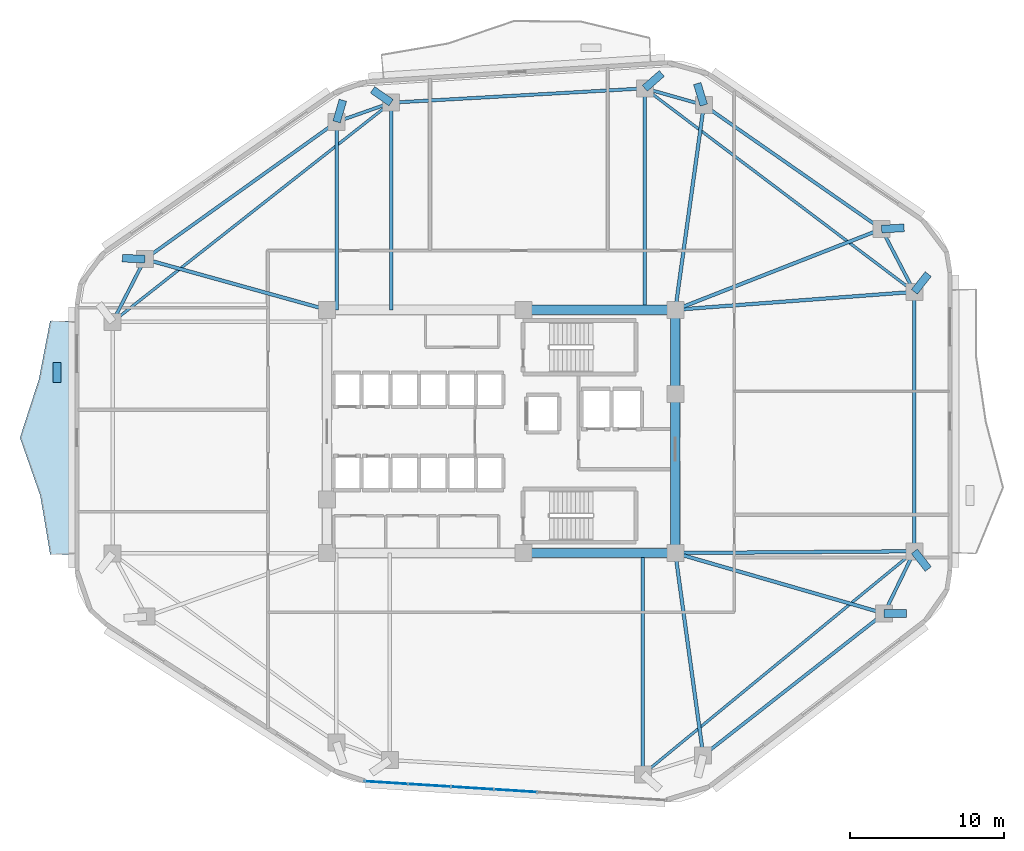
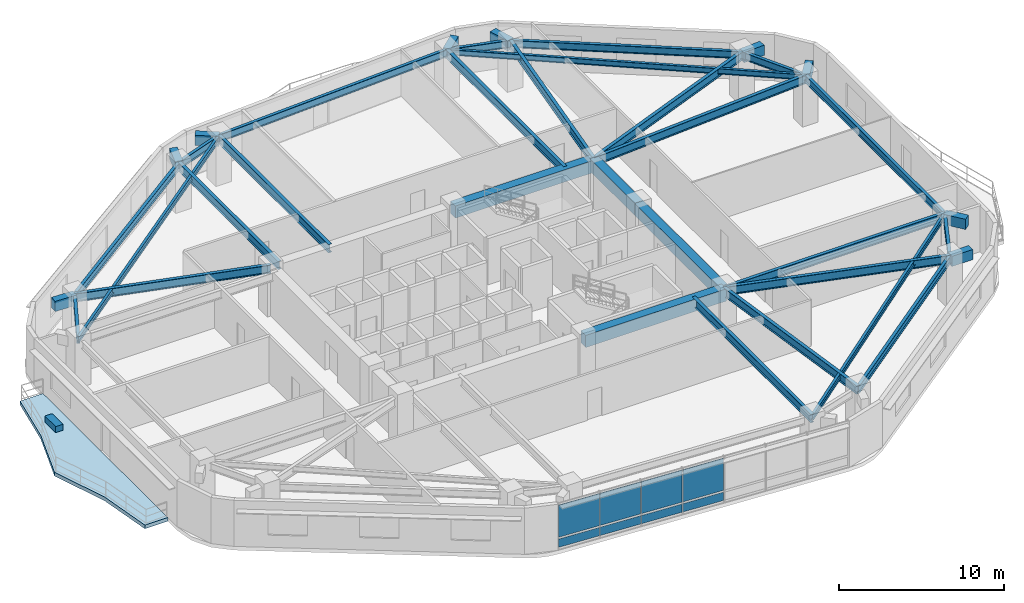
# One storey, part 5 of 12: 37 beams, 9 plates, 1 slab, 1 element without a shape of its own.
"""IFC4 building model written with IfcOpenShell, lengths in metres."""

from ifc_helpers import new_model, si_unit, direction, frame, origin, origin_2d, place, context, subcontext, project, spatial, polyline, rectangle, i_section, outline, extrude, material, layer, layer_set, material_profile, profile_set, type_object, element, aggregate, save


model = new_model("IFC4")

# Units and contexts
model_context = context("Model", 3, precision=1e-05, world=origin(), true_north=direction((0.0, 1.0)))
body_context = subcontext(model_context, "Body", "Model", "MODEL_VIEW")
ifc_project = project(units=[si_unit("LENGTHUNIT", "METRE"), si_unit("AREAUNIT", "SQUARE_METRE"), si_unit("VOLUMEUNIT", "CUBIC_METRE"), si_unit("PLANEANGLEUNIT", "RADIAN"), si_unit("MASSUNIT", "GRAM", prefix="KILO")], contexts=[model_context])

# Site, building, storey
site_placement = place(None, origin())
site = spatial("IfcSite", under=ifc_project, at=site_placement, CompositionType="ELEMENT")
building_placement = place(site_placement, origin())
building = spatial("IfcBuilding", under=site, at=building_placement, Name="Zulverin Broadcast Headquarters", CompositionType="ELEMENT")
storey_placement = place(building_placement, frame((0.0, 0.0, 116.199951171875)))
storey = spatial("IfcBuildingStorey", under=building, at=storey_placement, Name="L29", CompositionType="ELEMENT", Elevation=116.199951171875)

# Beams
ifc_material_1 = material(Name="Concrete C60/75", Category="concrete")
ifc_material_profile_1 = material_profile(ifc_material_1, rectangle(XDim=0.60009765625, YDim=0.89990234375, at=origin_2d()), Name="Concrete C60/75", Category="concrete")
ifc_profile_set_1 = profile_set([ifc_material_profile_1], Name="Concrete C60/75")
beam_type_1 = type_object("IfcBeamType", Name="BM-CB-600x900", PredefinedType="LINTEL", material=ifc_profile_set_1)
beam_1_placement = place(storey_placement, frame((38.449951171875, 17.324951171875, 2.949951171875), z_axis=(1.0, 0.0, 0.0), x_axis=(0.0, 1.0, 0.0)))
element("IfcBeam", 1, at=beam_1_placement, inside=storey, type_object=beam_type_1, Name="L29 Core Coupling Girder K02-K03", PredefinedType="LINTEL", context=body_context, shape_type="SweptSolid", body=[
    extrude(rectangle(XDim=0.60009765625, YDim=0.89990234375, at=origin_2d()), origin(), (0.0, 0.0, 1.0), 9.824951171875),
])
beam_2_placement = place(storey_placement, frame((48.27490234375, 17.324951171875, 2.949951171875), z_axis=(0.0, 1.0, 0.0), x_axis=(-1.0, 0.0, 0.0)))
element("IfcBeam", 2, at=beam_2_placement, inside=storey, type_object=beam_type_1, Name="L29 Core Coupling Girder K03-K04", PredefinedType="LINTEL", context=body_context, shape_type="SweptSolid", body=[
    extrude(rectangle(XDim=0.60009765625, YDim=0.89990234375, at=origin_2d()), origin(), (0.0, 0.0, 1.0), 10.295166015625),
])
beam_3_placement = place(storey_placement, frame((48.27490234375, 27.6201171875, 2.949951171875), z_axis=(0.0, 1.0, 0.0), x_axis=(-1.0, 0.0, 0.0)))
element("IfcBeam", 3, at=beam_3_placement, inside=storey, type_object=beam_type_1, Name="L29 Core Coupling Girder K04-K05", PredefinedType="LINTEL", context=body_context, shape_type="SweptSolid", body=[
    extrude(rectangle(XDim=0.60009765625, YDim=0.89990234375, at=origin_2d()), origin(), (0.0, 0.0, 1.0), 5.454833984375),
])
beam_4_placement = place(storey_placement, frame((48.27490234375, 33.074951171875, 2.949951171875), z_axis=(-1.0, 0.0, 0.0), x_axis=(0.0, -1.0, 0.0)))
element("IfcBeam", 4, at=beam_4_placement, inside=storey, type_object=beam_type_1, Name="L29 Core Coupling Girder K05-K06", PredefinedType="LINTEL", context=body_context, shape_type="SweptSolid", body=[
    extrude(rectangle(XDim=0.60009765625, YDim=0.89990234375, at=origin_2d()), origin(), (0.0, 0.0, 1.0), 9.824951171875),
])
ifc_material_2 = material(Name="Concrete C40/50", Category="concrete")
ifc_material_profile_2 = material_profile(ifc_material_2, rectangle(XDim=0.5, YDim=0.75, at=origin_2d()), Name="Concrete C40/50", Category="concrete")
ifc_profile_set_2 = profile_set([ifc_material_profile_2], Name="Concrete C40/50")
beam_type_2 = type_object("IfcBeamType", Name="BM-RC-500x750", PredefinedType="BEAM", material=ifc_profile_set_2)
for number, where, z_axis, x_axis, name in (
    (5, (61.79296875, 13.416259765625, 3.025146484375), (0.999999105755, 0.001337344174, 0.0), (-0.001337344174, 0.999999105755, 0.0), "L30 Plate Overhang Back-Spanned Beam OVR-04"),
    (6, (63.75, 17.439697265625, 3.025146484375), (0.616218103013, -0.787575551626, 0.0), (0.787575551626, 0.616218103013, 0.0), "L30 Plate Overhang Back-Spanned Beam OVR-05"),
    (7, (63.75, 34.235107421875, 3.025146484375), (0.616218103013, 0.787575551626, 0.0), (-0.787575551626, 0.616218103013, 0.0), "L30 Plate Overhang Back-Spanned Beam OVR-06"),
):
    element("IfcBeam", number, at=place(storey_placement, frame(where, z_axis=z_axis, x_axis=x_axis)), inside=storey, type_object=beam_type_2, Name=name, PredefinedType="BEAM", context=body_context, shape_type="SweptSolid", body=[
        extrude(rectangle(XDim=0.5, YDim=0.75, at=origin_2d()), origin(), (0.0, 0.0, 1.0), 1.46044921875),
    ])
beam_5_placement = place(storey_placement, frame((61.630126953125, 38.298583984375, 3.025146484375), z_axis=(0.998485968097, 0.055007013313, 0.0), x_axis=(-0.055007013313, 0.998485968097, 0.0)))
element("IfcBeam", 8, at=beam_5_placement, inside=storey, type_object=beam_type_2, Name="L30 Plate Overhang Back-Spanned Beam OVR-07", PredefinedType="BEAM", context=body_context, shape_type="SweptSolid", body=[
    extrude(rectangle(XDim=0.5, YDim=0.75, at=origin_2d()), origin(), (0.0, 0.0, 1.0), 1.460205078125),
])
for number, where, z_axis, x_axis, name in (
    (9, (50.121826171875, 46.325927734375, 3.025146484375), (-0.293216442426, 0.956046085652, 0.0), (-0.956046085652, -0.293216442426, 0.0), "L30 Plate Overhang Back-Spanned Beam OVR-08"),
    (10, (46.30224609375, 47.4091796875, 3.025146484375), (0.751426074166, 0.659817289151, 0.0), (-0.659817289151, 0.751426074166, 0.0), "L30 Plate Overhang Back-Spanned Beam OVR-09"),
    (11, (29.873779296875, 46.482177734375, 3.025146484375), (-0.821010818638, 0.570912634016, 0.0), (-0.570912634016, -0.821010818638, 0.0), "L30 Plate Overhang Back-Spanned Beam OVR-10"),
    (12, (26.344482421875, 45.23828125, 3.025146484375), (0.281514614558, 0.959556940359, 0.0), (-0.959556940359, 0.281514614558, 0.0), "L30 Plate Overhang Back-Spanned Beam OVR-11"),
):
    element("IfcBeam", number, at=place(storey_placement, frame(where, z_axis=z_axis, x_axis=x_axis)), inside=storey, type_object=beam_type_2, Name=name, PredefinedType="BEAM", context=body_context, shape_type="SweptSolid", body=[
        extrude(rectangle(XDim=0.5, YDim=0.75, at=origin_2d()), origin(), (0.0, 0.0, 1.0), 1.46044921875),
    ])
beam_6_placement = place(storey_placement, frame((13.934326171875, 36.353759765625, 3.025146484375), z_axis=(-0.999090847759, 0.042631888584, 0.0), x_axis=(-0.042631888584, -0.999090847759, 0.0)))
element("IfcBeam", 13, at=beam_6_placement, inside=storey, type_object=beam_type_2, Name="L30 Plate Overhang Back-Spanned Beam OVR-12", PredefinedType="BEAM", context=body_context, shape_type="SweptSolid", body=[
    extrude(rectangle(XDim=0.5, YDim=0.75, at=origin_2d()), origin(), (0.0, 0.0, 1.0), 1.460205078125),
])
ifc_material_3 = material(Name="Structural steel S355JR", Category="steel")
ifc_material_profile_3 = material_profile(ifc_material_3, i_section(OverallWidth=0.179443359375, OverallDepth=0.412841796875, WebThickness=0.009521484375, FlangeThickness=0.01611328125, at=origin_2d()), Name="Structural steel S355JR", Category="steel")
ifc_profile_set_3 = profile_set([ifc_material_profile_3], Name="Structural steel S355JR")
beam_type_3 = type_object("IfcBeamType", Name="BM-UB-406", PredefinedType="JOIST", material=ifc_profile_set_3)
beam_7_placement = place(storey_placement, frame((46.175048828125, 2.997802734375, 3.193603515625), z_axis=(0.772611370623, 0.634879256224, 0.0), x_axis=(-0.634879256224, 0.772611370623, 0.0)))
element("IfcBeam", 14, at=beam_7_placement, inside=storey, type_object=beam_type_3, Name="L29 Chordal Floor Joist J-01", PredefinedType="JOIST", context=body_context, shape_type="SweptSolid", body=[
    extrude(i_section(OverallWidth=0.179443359375, OverallDepth=0.412841796875, WebThickness=0.009521484375, FlangeThickness=0.01611328125, at=origin_2d()), origin(), (0.0, 0.0, 1.0), 22.74755859375),
])
beam_8_placement = place(storey_placement, frame((63.75, 34.235107421875, 3.193603515625), z_axis=(-0.798058136838, 0.602580459546, 0.0), x_axis=(-0.602580459546, -0.798058136838, 0.0)))
element("IfcBeam", 15, at=beam_8_placement, inside=storey, type_object=beam_type_3, Name="L29 Chordal Floor Joist J-02", PredefinedType="JOIST", context=body_context, shape_type="SweptSolid", body=[
    extrude(i_section(OverallWidth=0.179443359375, OverallDepth=0.412841796875, WebThickness=0.009521484375, FlangeThickness=0.01611328125, at=origin_2d()), origin(), (0.0, 0.0, 1.0), 21.86279296875),
])
beam_9_placement = place(storey_placement, frame((29.873779296875, 46.482177734375, 3.193603515625), z_axis=(-0.78583902739, -0.618431098047, 0.0), x_axis=(0.618431098047, -0.78583902739, 0.0)))
element("IfcBeam", 16, at=beam_9_placement, inside=storey, type_object=beam_type_3, Name="L29 Chordal Floor Joist J-03", PredefinedType="JOIST", context=body_context, shape_type="SweptSolid", body=[
    extrude(i_section(OverallWidth=0.179443359375, OverallDepth=0.412841796875, WebThickness=0.009521484375, FlangeThickness=0.01611328125, at=origin_2d()), origin(), (0.0, 0.0, 1.0), 22.935546875),
])
ifc_material_profile_4 = material_profile(ifc_material_3, i_section(OverallWidth=0.2119140625, OverallDepth=0.54443359375, WebThickness=0.0126953125, FlangeThickness=0.021240234375, at=origin_2d()), Name="Structural steel S355JR", Category="steel")
ifc_profile_set_4 = profile_set([ifc_material_profile_4], Name="Structural steel S355JR")
beam_type_4 = type_object("IfcBeamType", Name="BM-UB-533", PredefinedType="SPANDREL", material=ifc_profile_set_4)
beam_10_placement = place(storey_placement, frame((50.08056640625, 4.22509765625, 3.127685546875), z_axis=(0.786691476208, 0.617346354376, 0.0), x_axis=(-0.617346354376, 0.786691476208, 0.0)))
element("IfcBeam", 17, at=beam_10_placement, inside=storey, type_object=beam_type_4, Name="L29 Perimeter Spandrel Beam SP-03", PredefinedType="SPANDREL", context=body_context, shape_type="SweptSolid", body=[
    extrude(i_section(OverallWidth=0.2119140625, OverallDepth=0.54443359375, WebThickness=0.0126953125, FlangeThickness=0.021240234375, at=origin_2d()), origin(), (0.0, 0.0, 1.0), 14.88818359375),
])
beam_11_placement = place(storey_placement, frame((61.79296875, 13.416259765625, 3.127685546875), z_axis=(0.437408475872, 0.899262934428, 0.0), x_axis=(-0.899262934428, 0.437408475872, 0.0)))
element("IfcBeam", 18, at=beam_11_placement, inside=storey, type_object=beam_type_4, Name="L29 Perimeter Spandrel Beam SP-04", PredefinedType="SPANDREL", context=body_context, shape_type="SweptSolid", body=[
    extrude(i_section(OverallWidth=0.2119140625, OverallDepth=0.54443359375, WebThickness=0.0126953125, FlangeThickness=0.021240234375, at=origin_2d()), origin(), (0.0, 0.0, 1.0), 4.47412109375),
])
beam_12_placement = place(storey_placement, frame((63.75, 17.439697265625, 3.127685546875), z_axis=(0.0, 1.0, 0.0), x_axis=(-1.0, 0.0, 0.0)))
element("IfcBeam", 19, at=beam_12_placement, inside=storey, type_object=beam_type_4, Name="L29 Perimeter Spandrel Beam SP-05", PredefinedType="SPANDREL", context=body_context, shape_type="SweptSolid", body=[
    extrude(i_section(OverallWidth=0.2119140625, OverallDepth=0.54443359375, WebThickness=0.0126953125, FlangeThickness=0.021240234375, at=origin_2d()), origin(), (0.0, 0.0, 1.0), 16.79541015625),
])
beam_13_placement = place(storey_placement, frame((63.75, 34.235107421875, 3.127685546875), z_axis=(-0.462531417359, 0.886602891917, 0.0), x_axis=(-0.886602891917, -0.462531417359, 0.0)))
element("IfcBeam", 20, at=beam_13_placement, inside=storey, type_object=beam_type_4, Name="L29 Perimeter Spandrel Beam SP-06", PredefinedType="SPANDREL", context=body_context, shape_type="SweptSolid", body=[
    extrude(i_section(OverallWidth=0.2119140625, OverallDepth=0.54443359375, WebThickness=0.0126953125, FlangeThickness=0.021240234375, at=origin_2d()), origin(), (0.0, 0.0, 1.0), 4.583251953125),
])
beam_14_placement = place(storey_placement, frame((61.630126953125, 38.298583984375, 3.127685546875), z_axis=(-0.820183915206, 0.5720999434, 0.0), x_axis=(-0.5720999434, -0.820183915206, 0.0)))
element("IfcBeam", 21, at=beam_14_placement, inside=storey, type_object=beam_type_4, Name="L29 Perimeter Spandrel Beam SP-07", PredefinedType="SPANDREL", context=body_context, shape_type="SweptSolid", body=[
    extrude(i_section(OverallWidth=0.2119140625, OverallDepth=0.54443359375, WebThickness=0.0126953125, FlangeThickness=0.021240234375, at=origin_2d()), origin(), (0.0, 0.0, 1.0), 14.03125),
])
beam_15_placement = place(storey_placement, frame((50.121826171875, 46.325927734375, 3.127685546875), z_axis=(-0.962058150721, 0.272844487999, 0.0), x_axis=(-0.272844487999, -0.962058150721, 0.0)))
element("IfcBeam", 22, at=beam_15_placement, inside=storey, type_object=beam_type_4, Name="L29 Perimeter Spandrel Beam SP-08", PredefinedType="SPANDREL", context=body_context, shape_type="SweptSolid", body=[
    extrude(i_section(OverallWidth=0.2119140625, OverallDepth=0.54443359375, WebThickness=0.0126953125, FlangeThickness=0.021240234375, at=origin_2d()), origin(), (0.0, 0.0, 1.0), 3.97021484375),
])
beam_16_placement = place(storey_placement, frame((46.30224609375, 47.4091796875, 3.127685546875), z_axis=(-0.998411812904, -0.056336949274, 0.0), x_axis=(0.056336949274, -0.998411812904, 0.0)))
element("IfcBeam", 23, at=beam_16_placement, inside=storey, type_object=beam_type_4, Name="L29 Perimeter Spandrel Beam SP-09", PredefinedType="SPANDREL", context=body_context, shape_type="SweptSolid", body=[
    extrude(i_section(OverallWidth=0.2119140625, OverallDepth=0.54443359375, WebThickness=0.0126953125, FlangeThickness=0.021240234375, at=origin_2d()), origin(), (0.0, 0.0, 1.0), 16.45458984375),
])
beam_17_placement = place(storey_placement, frame((29.873779296875, 46.482177734375, 3.127685546875), z_axis=(-0.943135983398, -0.332407155189, 0.0), x_axis=(0.332407155189, -0.943135983398, 0.0)))
element("IfcBeam", 24, at=beam_17_placement, inside=storey, type_object=beam_type_4, Name="L29 Perimeter Spandrel Beam SP-10", PredefinedType="SPANDREL", context=body_context, shape_type="SweptSolid", body=[
    extrude(i_section(OverallWidth=0.2119140625, OverallDepth=0.54443359375, WebThickness=0.0126953125, FlangeThickness=0.021240234375, at=origin_2d()), origin(), (0.0, 0.0, 1.0), 3.7421875),
])
beam_18_placement = place(storey_placement, frame((26.344482421875, 45.23828125, 3.127685546875), z_axis=(-0.813109374453, -0.582110938891, 0.0), x_axis=(0.582110938891, -0.813109374453, 0.0)))
element("IfcBeam", 25, at=beam_18_placement, inside=storey, type_object=beam_type_4, Name="L29 Perimeter Spandrel Beam SP-11", PredefinedType="SPANDREL", context=body_context, shape_type="SweptSolid", body=[
    extrude(i_section(OverallWidth=0.2119140625, OverallDepth=0.54443359375, WebThickness=0.0126953125, FlangeThickness=0.021240234375, at=origin_2d()), origin(), (0.0, 0.0, 1.0), 15.2626953125),
])
beam_19_placement = place(storey_placement, frame((13.934326171875, 36.353759765625, 3.127685546875), z_axis=(-0.457080631948, -0.889425261558, 0.0), x_axis=(0.889425261558, -0.457080631948, 0.0)))
element("IfcBeam", 26, at=beam_19_placement, inside=storey, type_object=beam_type_4, Name="L29 Perimeter Spandrel Beam SP-12", PredefinedType="SPANDREL", context=body_context, shape_type="SweptSolid", body=[
    extrude(i_section(OverallWidth=0.2119140625, OverallDepth=0.54443359375, WebThickness=0.0126953125, FlangeThickness=0.021240234375, at=origin_2d()), origin(), (0.0, 0.0, 1.0), 4.559814453125),
])
ifc_material_profile_5 = material_profile(ifc_material_3, i_section(OverallWidth=0.230224609375, OverallDepth=0.6171875, WebThickness=0.01318359375, FlangeThickness=0.022216796875, at=origin_2d()), Name="Structural steel S355JR", Category="steel")
ifc_profile_set_5 = profile_set([ifc_material_profile_5], Name="Structural steel S355JR")
beam_type_5 = type_object("IfcBeamType", Name="BM-UB-610", PredefinedType="BEAM", material=ifc_profile_set_5)
beam_20_placement = place(storey_placement, frame((46.175048828125, 17.324951171875, 3.091552734375), z_axis=(0.0, -1.0, 0.0), x_axis=(1.0, 0.0, 0.0)))
element("IfcBeam", 27, at=beam_20_placement, inside=storey, type_object=beam_type_5, Name="L29 Radial Primary Floor Beam RB-02", PredefinedType="BEAM", context=body_context, shape_type="SweptSolid", body=[
    extrude(i_section(OverallWidth=0.230224609375, OverallDepth=0.6171875, WebThickness=0.01318359375, FlangeThickness=0.022216796875, at=origin_2d()), origin(), (0.0, 0.0, 1.0), 14.3271484375),
])
beam_21_placement = place(storey_placement, frame((48.27490234375, 17.324951171875, 3.091552734375), z_axis=(0.136547433081, -0.990633533916, 0.0), x_axis=(0.990633533916, 0.136547433081, 0.0)))
element("IfcBeam", 28, at=beam_21_placement, inside=storey, type_object=beam_type_5, Name="L29 Radial Primary Floor Beam RB-03", PredefinedType="BEAM", context=body_context, shape_type="SweptSolid", body=[
    extrude(i_section(OverallWidth=0.230224609375, OverallDepth=0.6171875, WebThickness=0.01318359375, FlangeThickness=0.022216796875, at=origin_2d()), origin(), (0.0, 0.0, 1.0), 13.2236328125),
])
beam_22_placement = place(storey_placement, frame((48.27490234375, 17.324951171875, 3.091552734375), z_axis=(0.960648363311, -0.277767388416, 0.0), x_axis=(0.277767388416, 0.960648363311, 0.0)))
element("IfcBeam", 29, at=beam_22_placement, inside=storey, type_object=beam_type_5, Name="L29 Radial Primary Floor Beam RB-04", PredefinedType="BEAM", context=body_context, shape_type="SweptSolid", body=[
    extrude(i_section(OverallWidth=0.230224609375, OverallDepth=0.6171875, WebThickness=0.01318359375, FlangeThickness=0.022216796875, at=origin_2d()), origin(), (0.0, 0.0, 1.0), 14.07177734375),
])
beam_23_placement = place(storey_placement, frame((48.27490234375, 17.324951171875, 3.091552734375), z_axis=(0.999972510862, 0.007414682739, 0.0), x_axis=(-0.007414682739, 0.999972510862, 0.0)))
element("IfcBeam", 30, at=beam_23_placement, inside=storey, type_object=beam_type_5, Name="L29 Radial Primary Floor Beam RB-05", PredefinedType="BEAM", context=body_context, shape_type="SweptSolid", body=[
    extrude(i_section(OverallWidth=0.230224609375, OverallDepth=0.6171875, WebThickness=0.01318359375, FlangeThickness=0.022216796875, at=origin_2d()), origin(), (0.0, 0.0, 1.0), 15.4755859375),
])
beam_24_placement = place(storey_placement, frame((48.27490234375, 33.074951171875, 3.091552734375), z_axis=(0.997201597387, 0.074759442003, 0.0), x_axis=(-0.074759442003, 0.997201597387, 0.0)))
element("IfcBeam", 31, at=beam_24_placement, inside=storey, type_object=beam_type_5, Name="L29 Radial Primary Floor Beam RB-06", PredefinedType="BEAM", context=body_context, shape_type="SweptSolid", body=[
    extrude(i_section(OverallWidth=0.230224609375, OverallDepth=0.6171875, WebThickness=0.01318359375, FlangeThickness=0.022216796875, at=origin_2d()), origin(), (0.0, 0.0, 1.0), 15.5185546875),
])
beam_25_placement = place(storey_placement, frame((48.27490234375, 33.074951171875, 3.091552734375), z_axis=(0.931297778153, 0.364258765723, 0.0), x_axis=(-0.364258765723, 0.931297778153, 0.0)))
element("IfcBeam", 32, at=beam_25_placement, inside=storey, type_object=beam_type_5, Name="L29 Radial Primary Floor Beam RB-07", PredefinedType="BEAM", context=body_context, shape_type="SweptSolid", body=[
    extrude(i_section(OverallWidth=0.230224609375, OverallDepth=0.6171875, WebThickness=0.01318359375, FlangeThickness=0.022216796875, at=origin_2d()), origin(), (0.0, 0.0, 1.0), 14.34033203125),
])
beam_26_placement = place(storey_placement, frame((48.27490234375, 33.074951171875, 3.091552734375), z_axis=(0.138045758193, 0.990425852169, 0.0), x_axis=(-0.990425852169, 0.138045758193, 0.0)))
element("IfcBeam", 33, at=beam_26_placement, inside=storey, type_object=beam_type_5, Name="L29 Radial Primary Floor Beam RB-08", PredefinedType="BEAM", context=body_context, shape_type="SweptSolid", body=[
    extrude(i_section(OverallWidth=0.230224609375, OverallDepth=0.6171875, WebThickness=0.01318359375, FlangeThickness=0.022216796875, at=origin_2d()), origin(), (0.0, 0.0, 1.0), 13.379150390625),
])
beam_27_placement = place(storey_placement, frame((46.30224609375, 33.074951171875, 3.091552734375), z_axis=(0.0, 1.0, 0.0), x_axis=(-1.0, 0.0, 0.0)))
element("IfcBeam", 34, at=beam_27_placement, inside=storey, type_object=beam_type_5, Name="L29 Radial Primary Floor Beam RB-09", PredefinedType="BEAM", context=body_context, shape_type="SweptSolid", body=[
    extrude(i_section(OverallWidth=0.230224609375, OverallDepth=0.6171875, WebThickness=0.01318359375, FlangeThickness=0.022216796875, at=origin_2d()), origin(), (0.0, 0.0, 1.0), 14.334228515625),
])
beam_28_placement = place(storey_placement, frame((29.873779296875, 33.074951171875, 3.091552734375), z_axis=(0.0, 1.0, 0.0), x_axis=(-1.0, 0.0, 0.0)))
element("IfcBeam", 35, at=beam_28_placement, inside=storey, type_object=beam_type_5, Name="L29 Radial Primary Floor Beam RB-10", PredefinedType="BEAM", context=body_context, shape_type="SweptSolid", body=[
    extrude(i_section(OverallWidth=0.230224609375, OverallDepth=0.6171875, WebThickness=0.01318359375, FlangeThickness=0.022216796875, at=origin_2d()), origin(), (0.0, 0.0, 1.0), 13.4072265625),
])
beam_29_placement = place(storey_placement, frame((26.344482421875, 33.074951171875, 3.091552734375), z_axis=(0.0, 1.0, 0.0), x_axis=(-1.0, 0.0, 0.0)))
element("IfcBeam", 36, at=beam_29_placement, inside=storey, type_object=beam_type_5, Name="L29 Radial Primary Floor Beam RB-11", PredefinedType="BEAM", context=body_context, shape_type="SweptSolid", body=[
    extrude(i_section(OverallWidth=0.230224609375, OverallDepth=0.6171875, WebThickness=0.01318359375, FlangeThickness=0.022216796875, at=origin_2d()), origin(), (0.0, 0.0, 1.0), 12.163330078125),
])
beam_30_placement = place(storey_placement, frame((25.72509765625, 33.074951171875, 3.091552734375), z_axis=(-0.963442133037, 0.267916509922, 0.0), x_axis=(-0.267916509922, -0.963442133037, 0.0)))
element("IfcBeam", 37, at=beam_30_placement, inside=storey, type_object=beam_type_5, Name="L29 Radial Primary Floor Beam RB-12", PredefinedType="BEAM", context=body_context, shape_type="SweptSolid", body=[
    extrude(i_section(OverallWidth=0.230224609375, OverallDepth=0.6171875, WebThickness=0.01318359375, FlangeThickness=0.022216796875, at=origin_2d()), origin(), (0.0, 0.0, 1.0), 12.23828125),
])

# Curtain wall, plates
ifc_material_4 = material(Name="Low-zone ribbon unitised curtain wall", Category="aluminium")
curtain_wall_type = type_object("IfcCurtainWallType", Name="CW-TWR-LOW", PredefinedType="USERDEFINED", material=ifc_material_4)
curtain_wall_placement = place(storey_placement, origin())
curtain_wall = element("IfcCurtainWall", 38, at=curtain_wall_placement, inside=storey, type_object=curtain_wall_type, Name="L29 Unitised Curtain Wall CW-L29-E1", ObjectType="UNITISED CURTAIN WALL", PredefinedType="USERDEFINED")
ifc_material_5 = material(Name="Low-E double-glazed pale-silver vision glass", Category="glass")
ifc_layer_1 = layer(ifc_material_5, 0.035888671875, Name="Low-E double-glazed pale-silver vision glass", Category="glass")
ifc_layer_set_1 = layer_set([ifc_layer_1], Name="Low-E double-glazed pale-silver vision glass")
plate_type_1 = type_object("IfcPlateType", Name="CW-PNL-GLZ", PredefinedType="CURTAIN_PANEL", material=ifc_layer_set_1)
plate_1_placement = place(storey_placement, frame((29.5556640625, 2.463134765625, 0.881103515625), z_axis=(0.0, 0.0, 1.0), x_axis=(0.998017182581, -0.062942062821, 0.0)))
plate_1 = element("IfcPlate", 39, at=plate_1_placement, type_object=plate_type_1, Name="CW-L29-E1 Vision Panel 00", PredefinedType="CURTAIN_PANEL", context=body_context, shape_type="SweptSolid", body=[
    extrude(rectangle(XDim=2.756591796875, YDim=0.035888671875, at=origin_2d()), origin(), (0.0, 0.0, 1.0), 2.37890625),
])
plate_2_placement = place(storey_placement, frame((32.3466796875, 2.287109375, 0.881103515625), z_axis=(0.0, 0.0, 1.0), x_axis=(0.998017182581, -0.062942062821, 0.0)))
plate_2 = element("IfcPlate", 40, at=plate_2_placement, type_object=plate_type_1, Name="CW-L29-E1 Vision Panel 01", PredefinedType="CURTAIN_PANEL", context=body_context, shape_type="SweptSolid", body=[
    extrude(rectangle(XDim=2.756591796875, YDim=0.035888671875, at=origin_2d()), origin(), (0.0, 0.0, 1.0), 2.37890625),
])
plate_3_placement = place(storey_placement, frame((35.137939453125, 2.111083984375, 0.881103515625), z_axis=(0.0, 0.0, 1.0), x_axis=(0.998017182581, -0.062942062821, 0.0)))
plate_3 = element("IfcPlate", 41, at=plate_3_placement, type_object=plate_type_1, Name="CW-L29-E1 Vision Panel 02", PredefinedType="CURTAIN_PANEL", context=body_context, shape_type="SweptSolid", body=[
    extrude(rectangle(XDim=2.756591796875, YDim=0.035888671875, at=origin_2d()), origin(), (0.0, 0.0, 1.0), 2.37890625),
])
plate_4_placement = place(storey_placement, frame((37.92919921875, 1.93505859375, 0.881103515625), z_axis=(0.0, 0.0, 1.0), x_axis=(0.998017182581, -0.062942062821, 0.0)))
plate_4 = element("IfcPlate", 42, at=plate_4_placement, type_object=plate_type_1, Name="CW-L29-E1 Vision Panel 03", PredefinedType="CURTAIN_PANEL", context=body_context, shape_type="SweptSolid", body=[
    extrude(rectangle(XDim=2.756591796875, YDim=0.035888671875, at=origin_2d()), origin(), (0.0, 0.0, 1.0), 2.37890625),
])
ifc_material_6 = material(Name="Insulated brushed pale-aluminium spandrel cassette", Category="aluminium")
ifc_layer_2 = layer(ifc_material_6, 0.050048828125, Name="Insulated brushed pale-aluminium spandrel cassette", Category="aluminium")
ifc_layer_set_2 = layer_set([ifc_layer_2], Name="Insulated brushed pale-aluminium spandrel cassette")
plate_type_2 = type_object("IfcPlateType", Name="CW-PNL-SPN", PredefinedType="CURTAIN_PANEL", material=ifc_layer_set_2)
plate_5_placement = place(storey_placement, frame((29.5556640625, 2.463134765625, 0.14013671875), z_axis=(0.0, 0.0, 1.0), x_axis=(0.998017182581, -0.062942062821, 0.0)))
plate_5 = element("IfcPlate", 43, at=plate_5_placement, type_object=plate_type_2, Name="CW-L29-E1 Spandrel Cassette 00", PredefinedType="CURTAIN_PANEL", context=body_context, shape_type="SweptSolid", body=[
    extrude(rectangle(XDim=2.756591796875, YDim=0.050048828125, at=origin_2d()), origin(), (0.0, 0.0, 1.0), 0.611083984375),
])
plate_6_placement = place(storey_placement, frame((32.3466796875, 2.287109375, 0.14013671875), z_axis=(0.0, 0.0, 1.0), x_axis=(0.998017182581, -0.062942062821, 0.0)))
plate_6 = element("IfcPlate", 44, at=plate_6_placement, type_object=plate_type_2, Name="CW-L29-E1 Spandrel Cassette 01", PredefinedType="CURTAIN_PANEL", context=body_context, shape_type="SweptSolid", body=[
    extrude(rectangle(XDim=2.756591796875, YDim=0.050048828125, at=origin_2d()), origin(), (0.0, 0.0, 1.0), 0.611083984375),
])
plate_7_placement = place(storey_placement, frame((35.137939453125, 2.111083984375, 0.14013671875), z_axis=(0.0, 0.0, 1.0), x_axis=(0.998017182581, -0.062942062821, 0.0)))
plate_7 = element("IfcPlate", 45, at=plate_7_placement, type_object=plate_type_2, Name="CW-L29-E1 Spandrel Cassette 02", PredefinedType="CURTAIN_PANEL", context=body_context, shape_type="SweptSolid", body=[
    extrude(rectangle(XDim=2.756591796875, YDim=0.050048828125, at=origin_2d()), origin(), (0.0, 0.0, 1.0), 0.611083984375),
])
plate_8_placement = place(storey_placement, frame((37.92919921875, 1.93505859375, 0.14013671875), z_axis=(0.0, 0.0, 1.0), x_axis=(0.998017182581, -0.062942062821, 0.0)))
plate_8 = element("IfcPlate", 46, at=plate_8_placement, type_object=plate_type_2, Name="CW-L29-E1 Spandrel Cassette 03", PredefinedType="CURTAIN_PANEL", context=body_context, shape_type="SweptSolid", body=[
    extrude(rectangle(XDim=2.756591796875, YDim=0.050048828125, at=origin_2d()), origin(), (0.0, 0.0, 1.0), 0.611083984375),
])
aggregate(curtain_wall, [plate_5, plate_1, plate_6, plate_2, plate_7, plate_3, plate_8, plate_4])

# Plate
ifc_material_7 = material(Name="Precast concrete C45/55", Category="concrete")
ifc_layer_3 = layer(ifc_material_7, 0.449951171875, Name="Precast concrete C45/55", Category="concrete")
ifc_layer_set_3 = layer_set([ifc_layer_3], Name="Precast concrete C45/55")
plate_type_3 = type_object("IfcPlateType", Name="PT-01_PRECAST_GFRC_TREE_PLANTER", PredefinedType="USERDEFINED", material=ifc_layer_set_3)
plate_9_placement = place(storey_placement, frame((8.25, 29.022216796875, -0.0048828125), z_axis=(0.0, 0.0, 1.0), x_axis=(0.0, 1.0, 0.0)))
element("IfcPlate", 47, at=plate_9_placement, inside=storey, type_object=plate_type_3, Name="L29 Precast GFRC Tree Planter BAL_W", ObjectType="PLANTER", PredefinedType="USERDEFINED", context=body_context, shape_type="SweptSolid", body=[
    extrude(rectangle(XDim=1.300048828125, YDim=0.5, at=origin_2d()), origin(), (0.0, 0.0, 1.0), 0.449951171875),
])

# Slab
ifc_layer_4 = layer(ifc_material_2, 0.27490234375, Name="Concrete C40/50", Category="concrete")
ifc_layer_set_4 = layer_set([ifc_layer_4], Name="Concrete C40/50")
slab_type = type_object("IfcSlabType", Name="SLB-BAL-275", PredefinedType="FLOOR", material=ifc_layer_set_4)
slab_placement = place(storey_placement, frame((0.0, 0.0, -0.27490234375)))
element("IfcSlab", 48, at=slab_placement, inside=storey, type_object=slab_type, Name="L29 Cantilevered Planted Balcony Slab BAL_W", PredefinedType="FLOOR", context=body_context, shape_type="SweptSolid", body=[
    extrude(outline(polyline([(9.39990234375, 17.24365234375), (9.39990234375, 32.344482421875), (7.800048828125, 32.344482421875), (7.072021484375, 28.569091796875), (5.85009765625, 24.7939453125), (7.168701171875, 21.018798828125), (7.800048828125, 17.24365234375), (9.39990234375, 17.24365234375)])), origin(), (0.0, 0.0, 1.0), 0.27490234375),
])

save(model, "model.ifc")
